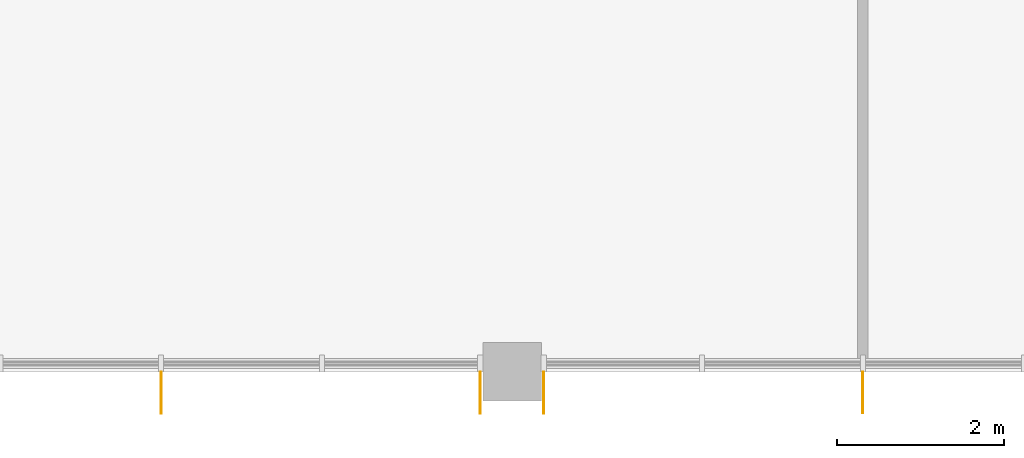
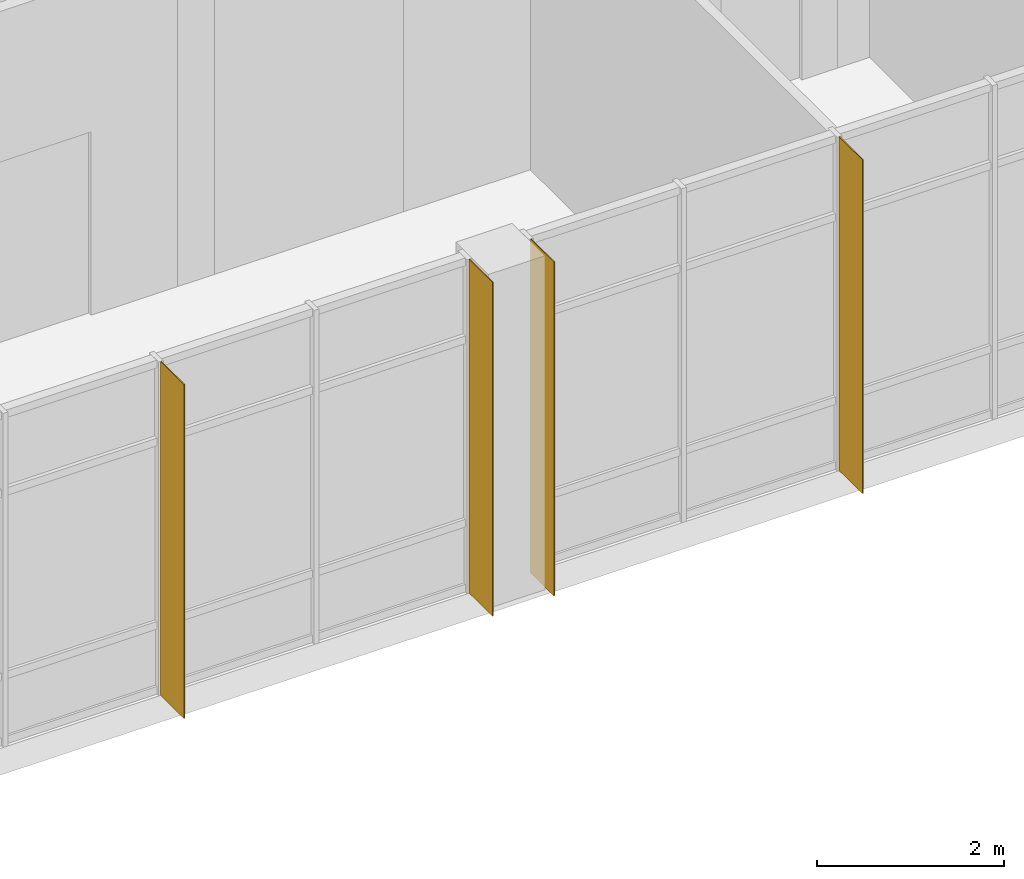
# One storey, part 54 of 70: 4 shading devices.
"""IFC4 building model written with IfcOpenShell, lengths in metres."""

from ifc_helpers import new_model, si_unit, direction, frame, origin, origin_2d, place, context, subcontext, project, spatial, rectangle, extrude, material, layer, layer_set, type_object, element, save


model = new_model("IFC4")

# Units and contexts
model_context = context("Model", 3, precision=1e-05, world=origin(), true_north=direction((0.0, 1.0)))
body_context = subcontext(model_context, "Body", "Model", "MODEL_VIEW")
ifc_project = project(units=[si_unit("LENGTHUNIT", "METRE"), si_unit("AREAUNIT", "SQUARE_METRE"), si_unit("VOLUMEUNIT", "CUBIC_METRE"), si_unit("PLANEANGLEUNIT", "RADIAN"), si_unit("MASSUNIT", "GRAM", prefix="KILO")], contexts=[model_context])

# Site, building, storey
site_placement = place(None, origin())
site = spatial("IfcSite", under=ifc_project, at=site_placement, CompositionType="ELEMENT")
building_placement = place(site_placement, origin())
building = spatial("IfcBuilding", under=site, at=building_placement, Name="Hlaing Beacon Police Headquarters", CompositionType="ELEMENT")
storey_placement = place(building_placement, frame((0.0, 0.0, 5.39990234375)))
storey = spatial("IfcBuildingStorey", under=building, at=storey_placement, Name="L01", CompositionType="ELEMENT", Elevation=5.39990234375)

# Shading devices
ifc_material = material(Name="Aluminium 6063-T5 anodised", Category="aluminium")
ifc_layer = layer(ifc_material, 0.011962890625)
ifc_layer_set = layer_set([ifc_layer], Name="Aluminium 6063-T5 anodised")
shading_device_type = type_object("IfcShadingDeviceType", Name="Aluminium fin 12x500", PredefinedType="JALOUSIE", material=ifc_layer_set)
for number, where, z_axis, x_axis, name in (
    (1, (29.39990234375, 8.14990234375, 0.0), (0.0, 0.0, 1.0), (1.0, 0.0, 0.0), "Fin L01 S013.2"),
    (2, (33.219970703125, 8.14990234375, 0.0), (0.0, 0.0, 1.0), (1.0, 0.0, 0.0), "Fin L01 S013.4"),
    (3, (33.97998046875, 8.14990234375, 0.0), (0.0, 0.0, 1.0), (1.0, 0.0, 0.0), "Fin L01 S014.0"),
    (4, (37.800048828125, 8.14990234375, 0.0), (0.0, 0.0, 1.0), (1.0, 0.0, 0.0), "Fin L01 S014.2"),
):
    element("IfcShadingDevice", number, at=place(storey_placement, frame(where, z_axis=z_axis, x_axis=x_axis)), inside=storey, type_object=shading_device_type, Name=name, PredefinedType="JALOUSIE", context=body_context, shape_type="SweptSolid", body=[
        extrude(rectangle(XDim=0.011962890625, YDim=0.5, at=origin_2d()), origin(), (0.0, 0.0, 1.0), 4.3701171875),
    ])

save(model, "model.ifc")
